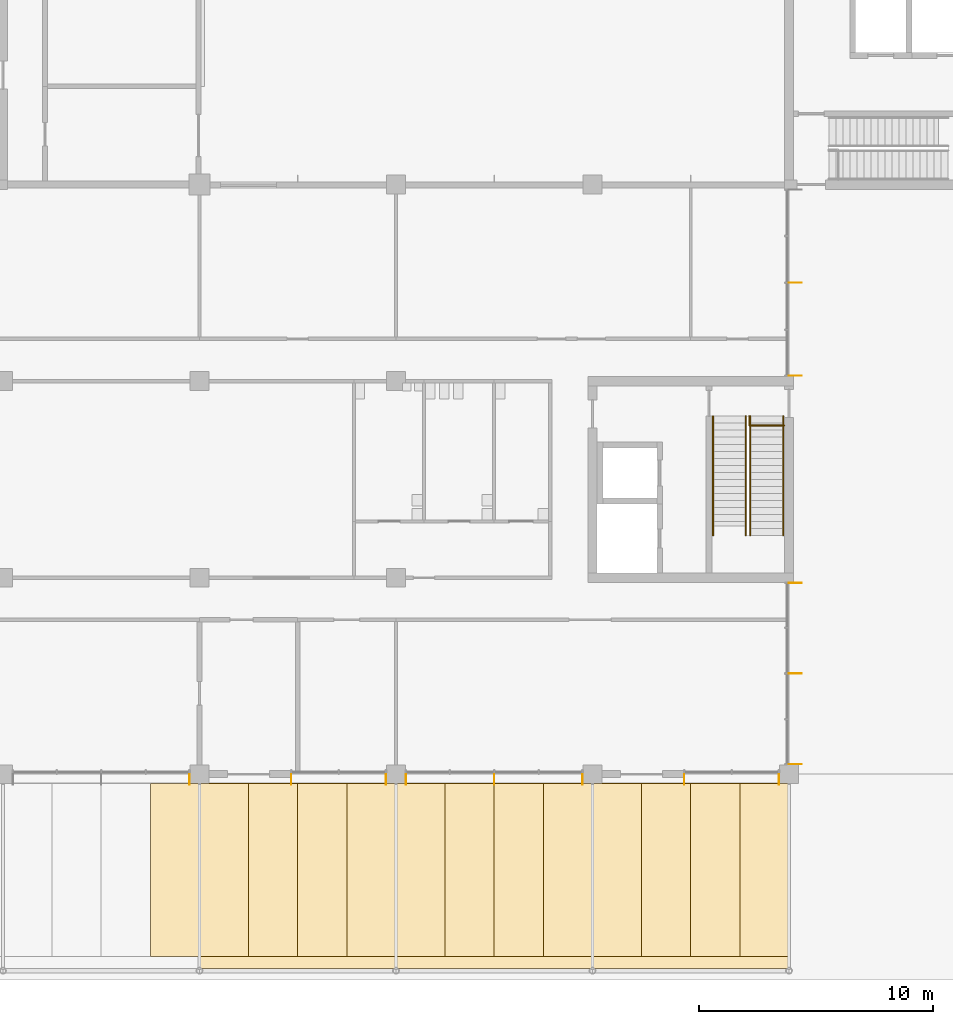
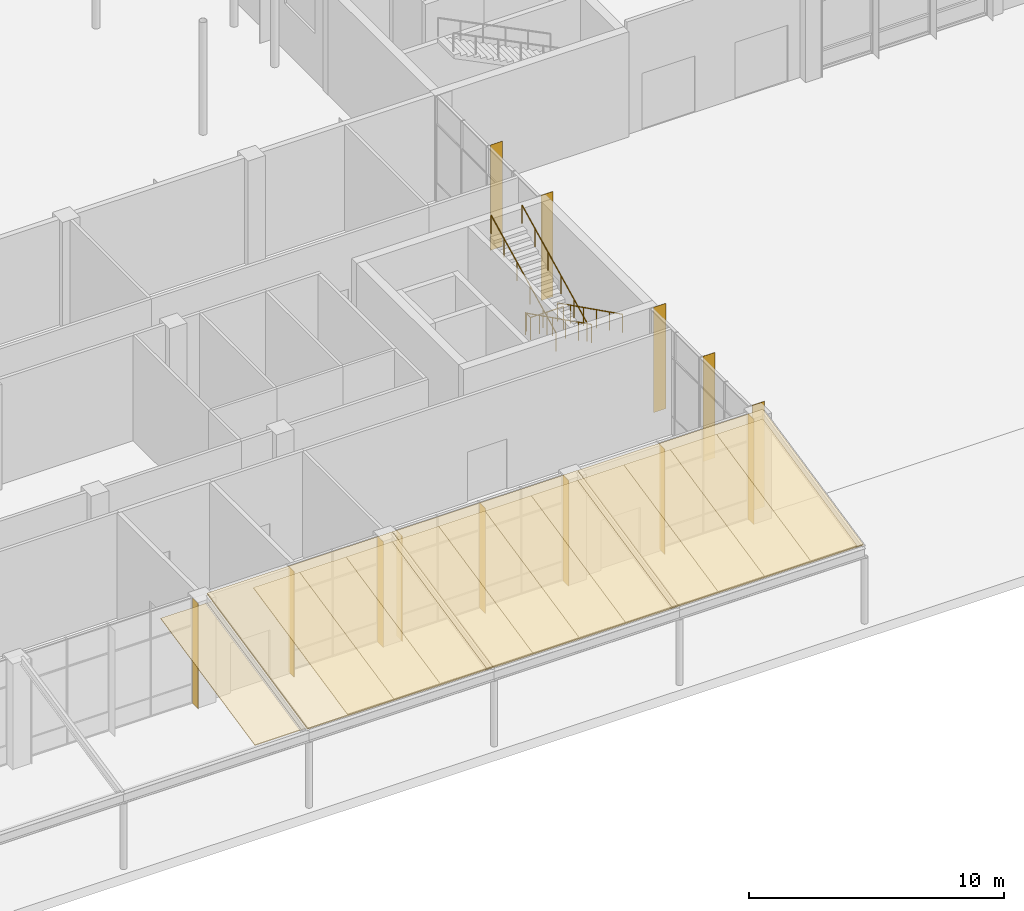
# One storey, part 59 of 76: 16 coverings, 13 shading devices, 5 railings.
"""IFC4 building model written with IfcOpenShell, lengths in metres."""

from ifc_helpers import new_model, si_unit, direction, frame, origin, origin_2d, place, context, subcontext, project, spatial, polyline, rectangle, circle, outline, extrude, material, layer, layer_set, type_object, element, save


model = new_model("IFC4")

# Units and contexts
model_context = context("Model", 3, precision=1e-05, world=origin(), true_north=direction((0.0, 1.0)))
body_context = subcontext(model_context, "Body", "Model", "MODEL_VIEW")
ifc_project = project(units=[si_unit("LENGTHUNIT", "METRE"), si_unit("AREAUNIT", "SQUARE_METRE"), si_unit("VOLUMEUNIT", "CUBIC_METRE"), si_unit("PLANEANGLEUNIT", "RADIAN"), si_unit("MASSUNIT", "GRAM", prefix="KILO")], contexts=[model_context])

# Site, building, storey
site_placement = place(None, origin())
site = spatial("IfcSite", under=ifc_project, at=site_placement, CompositionType="ELEMENT")
building_placement = place(site_placement, origin())
building = spatial("IfcBuilding", under=site, at=building_placement, Name="Hlaing Beacon Police Headquarters", CompositionType="ELEMENT")
storey_placement = place(building_placement, origin())
storey = spatial("IfcBuildingStorey", under=building, at=storey_placement, Name="L00", CompositionType="ELEMENT", Elevation=0.0)

# Shading devices
ifc_material_1 = material(Name="Aluminium 6063-T5 anodised", Category="aluminium")
ifc_layer_1 = layer(ifc_material_1, 0.011962890625)
ifc_layer_set_1 = layer_set([ifc_layer_1], Name="Aluminium 6063-T5 anodised")
shading_device_type_1 = type_object("IfcShadingDeviceType", Name="Aluminium fin 12x450", PredefinedType="JALOUSIE", material=ifc_layer_set_1)
for number, where, z_axis, x_axis, name in (
    (1, (33.175048828125, 8.175048828125, 0.0), (0.0, 0.0, 1.0), (1.0, 0.0, 0.0), "Fin L00 S005.4"),
    (2, (37.52490234375, 8.175048828125, 0.0), (0.0, 0.0, 1.0), (1.0, 0.0, 0.0), "Fin L00 S006.0"),
    (3, (41.574951171875, 8.175048828125, 0.0), (0.0, 0.0, 1.0), (1.0, 0.0, 0.0), "Fin L00 S006.2"),
    (4, (42.425048828125, 8.175048828125, 0.0), (0.0, 0.0, 1.0), (1.0, 0.0, 0.0), "Fin L00 S007.0"),
    (5, (46.199951171875, 8.175048828125, 0.0), (0.0, 0.0, 1.0), (1.0, 0.0, 0.0), "Fin L00 S007.2"),
    (6, (49.97509765625, 8.175048828125, 0.0), (0.0, 0.0, 1.0), (1.0, 0.0, 0.0), "Fin L00 S007.4"),
    (7, (54.324951171875, 8.175048828125, 0.0), (0.0, 0.0, 1.0), (1.0, 0.0, 0.0), "Fin L00 S008.0"),
    (8, (58.375, 8.175048828125, 0.0), (0.0, 0.0, 1.0), (1.0, 0.0, 0.0), "Fin L00 S008.2"),
):
    element("IfcShadingDevice", number, at=place(storey_placement, frame(where, z_axis=z_axis, x_axis=x_axis)), inside=storey, type_object=shading_device_type_1, Name=name, PredefinedType="JALOUSIE", context=body_context, shape_type="SweptSolid", body=[
        extrude(rectangle(XDim=0.011962890625, YDim=0.449951171875, at=origin_2d()), origin(), (0.0, 0.0, 1.0), 5.050048828125),
    ])
ifc_material_2 = material(Name="Aluminium 6063-T5 anodised", Category="aluminium")
ifc_layer_2 = layer(ifc_material_2, 0.011962890625)
ifc_layer_set_2 = layer_set([ifc_layer_2], Name="Aluminium 6063-T5 anodised")
shading_device_type_2 = type_object("IfcShadingDeviceType", Name="Aluminium fin 12x550", PredefinedType="JALOUSIE", material=ifc_layer_set_2)
for number, where, z_axis, x_axis, name in (
    (9, (59.074951171875, 8.824951171875, 0.0), (0.0, 0.0, 1.0), (0.0, 1.0, 0.0), "Fin L00 E001.0"),
    (10, (59.074951171875, 12.699951171875, 0.0), (0.0, 0.0, 1.0), (0.0, 1.0, 0.0), "Fin L00 E001.2"),
    (11, (59.074951171875, 16.574951171875, 0.0), (0.0, 0.0, 1.0), (0.0, 1.0, 0.0), "Fin L00 E001.4"),
    (12, (59.074951171875, 25.425048828125, 0.0), (0.0, 0.0, 1.0), (0.0, 1.0, 0.0), "Fin L00 E002.0"),
    (13, (59.074951171875, 29.39990234375, 0.0), (0.0, 0.0, 1.0), (0.0, 1.0, 0.0), "Fin L00 E002.2"),
):
    element("IfcShadingDevice", number, at=place(storey_placement, frame(where, z_axis=z_axis, x_axis=x_axis)), inside=storey, type_object=shading_device_type_2, Name=name, PredefinedType="JALOUSIE", context=body_context, shape_type="SweptSolid", body=[
        extrude(rectangle(XDim=0.011962890625, YDim=0.550048828125, at=origin_2d()), origin(), (0.0, 0.0, 1.0), 5.050048828125),
    ])

# Coverings
ifc_material_3 = material(Name="Standing seam aluminium roofing", Category="aluminium")
ifc_layer_3 = layer(ifc_material_3, 0.06005859375)
ifc_layer_set_3 = layer_set([ifc_layer_3], Name="Standing seam aluminium roofing")
covering_type_1 = type_object("IfcCoveringType", Name="Colonnade roofing 60", PredefinedType="ROOFING", material=ifc_layer_set_3)
for number, where, z_axis, x_axis, name in (
    (14, (33.60009765625, 0.09521484375, 3.680419921875), (0.0, -0.209524963903, 0.97780329796), (1.0, 0.0, 0.0), "South colonnade of the public front roofing 4"),
    (15, (42.0, 0.09521484375, 3.680419921875), (0.0, -0.209524963903, 0.97780329796), (1.0, 0.0, 0.0), "South colonnade of the public front roofing 5"),
):
    element("IfcCovering", number, at=place(storey_placement, frame(where, z_axis=z_axis, x_axis=x_axis)), inside=storey, type_object=covering_type_1, Name=name, PredefinedType="ROOFING", context=body_context, shape_type="SweptSolid", body=[
        extrude(outline(polyline([(0.0, 0.0), (8.39990234375, 0.0), (8.39990234375, 8.084228364479442), (0.0, 8.084228364479442), (0.0, 0.0)])), origin(), (0.0, 0.0, -1.0), 0.06005859375),
    ])
covering_1_placement = place(storey_placement, frame((50.39990234375, 0.09521484375, 3.680419921875), z_axis=(0.0, -0.209524963903, 0.97780329796), x_axis=(1.0, 0.0, 0.0)))
element("IfcCovering", 16, at=covering_1_placement, inside=storey, type_object=covering_type_1, Name="South colonnade of the public front roofing 6", PredefinedType="ROOFING", context=body_context, shape_type="SweptSolid", body=[
    extrude(outline(polyline([(0.0, 0.0), (8.400146484375, 0.0), (8.400146484375, 8.084228364479442), (0.0, 8.084228364479442), (0.0, 0.0)])), origin(), (0.0, 0.0, -1.0), 0.06005859375),
])
ifc_material_4 = material(Name="Perforated aluminium", Category="aluminium")
ifc_layer_4 = layer(ifc_material_4, 0.0400390625)
ifc_layer_set_4 = layer_set([ifc_layer_4], Name="Perforated aluminium")
covering_type_2 = type_object("IfcCoveringType", Name="Perforated soffit panel 40", PredefinedType="CEILING", material=ifc_layer_set_4)
covering_2_placement = place(storey_placement, frame((31.5, 0.60009765625, 3.3154296875), z_axis=(0.0, -0.209559932183, 0.977795804258), x_axis=(1.0, 0.0, 0.0)))
element("IfcCovering", 17, at=covering_2_placement, inside=storey, type_object=covering_type_2, Name="South colonnade of the public front soffit 3.4", PredefinedType="CEILING", context=body_context, shape_type="SweptSolid", body=[
    extrude(outline(polyline([(0.0, 0.0), (2.10009765625, 0.0), (2.10009765625, 7.567942418580032), (0.0, 7.567942418580032), (0.0, 0.0)])), origin(), (0.0, 0.0, -1.0), 0.0400390625),
])
covering_3_placement = place(storey_placement, frame((33.60009765625, 0.60009765625, 3.3154296875), z_axis=(0.0, -0.209559932183, 0.977795804258), x_axis=(1.0, 0.0, 0.0)))
element("IfcCovering", 18, at=covering_3_placement, inside=storey, type_object=covering_type_2, Name="South colonnade of the public front soffit 4.1", PredefinedType="CEILING", context=body_context, shape_type="SweptSolid", body=[
    extrude(outline(polyline([(0.0, 0.0), (2.099853515625, 0.0), (2.099853515625, 7.567942418580033), (0.0, 7.567942418580033), (0.0, 0.0)])), origin(), (0.0, 0.0, -1.0), 0.0400390625),
])
covering_4_placement = place(storey_placement, frame((35.699951171875, 0.60009765625, 3.3154296875), z_axis=(0.0, -0.209559932183, 0.977795804258), x_axis=(1.0, 0.0, 0.0)))
element("IfcCovering", 19, at=covering_4_placement, inside=storey, type_object=covering_type_2, Name="South colonnade of the public front soffit 4.2", PredefinedType="CEILING", context=body_context, shape_type="SweptSolid", body=[
    extrude(outline(polyline([(0.0, 0.0), (2.10009765625, 0.0), (2.10009765625, 7.567942418580032), (0.0, 7.567942418580032), (0.0, 0.0)])), origin(), (0.0, 0.0, -1.0), 0.0400390625),
])
covering_5_placement = place(storey_placement, frame((37.800048828125, 0.60009765625, 3.3154296875), z_axis=(0.0, -0.209559932183, 0.977795804258), x_axis=(1.0, 0.0, 0.0)))
element("IfcCovering", 20, at=covering_5_placement, inside=storey, type_object=covering_type_2, Name="South colonnade of the public front soffit 4.3", PredefinedType="CEILING", context=body_context, shape_type="SweptSolid", body=[
    extrude(outline(polyline([(0.0, 0.0), (2.099853515625, 0.0), (2.099853515625, 7.567942418580033), (0.0, 7.567942418580033), (0.0, 0.0)])), origin(), (0.0, 0.0, -1.0), 0.0400390625),
])
for number, where, z_axis, x_axis, name in (
    (21, (39.89990234375, 0.60009765625, 3.3154296875), (0.0, -0.209559932183, 0.977795804258), (1.0, 0.0, 0.0), "South colonnade of the public front soffit 4.4"),
    (22, (42.0, 0.60009765625, 3.3154296875), (0.0, -0.209559932183, 0.977795804258), (1.0, 0.0, 0.0), "South colonnade of the public front soffit 5.1"),
):
    element("IfcCovering", number, at=place(storey_placement, frame(where, z_axis=z_axis, x_axis=x_axis)), inside=storey, type_object=covering_type_2, Name=name, PredefinedType="CEILING", context=body_context, shape_type="SweptSolid", body=[
        extrude(outline(polyline([(0.0, 0.0), (2.10009765625, 0.0), (2.10009765625, 7.567942418580032), (0.0, 7.567942418580032), (0.0, 0.0)])), origin(), (0.0, 0.0, -1.0), 0.0400390625),
    ])
covering_6_placement = place(storey_placement, frame((44.10009765625, 0.60009765625, 3.3154296875), z_axis=(0.0, -0.209559932183, 0.977795804258), x_axis=(1.0, 0.0, 0.0)))
element("IfcCovering", 23, at=covering_6_placement, inside=storey, type_object=covering_type_2, Name="South colonnade of the public front soffit 5.2", PredefinedType="CEILING", context=body_context, shape_type="SweptSolid", body=[
    extrude(outline(polyline([(0.0, 0.0), (2.099853515625, 0.0), (2.099853515625, 7.567942418580033), (0.0, 7.567942418580033), (0.0, 0.0)])), origin(), (0.0, 0.0, -1.0), 0.0400390625),
])
covering_7_placement = place(storey_placement, frame((46.199951171875, 0.60009765625, 3.3154296875), z_axis=(0.0, -0.209559932183, 0.977795804258), x_axis=(1.0, 0.0, 0.0)))
element("IfcCovering", 24, at=covering_7_placement, inside=storey, type_object=covering_type_2, Name="South colonnade of the public front soffit 5.3", PredefinedType="CEILING", context=body_context, shape_type="SweptSolid", body=[
    extrude(outline(polyline([(0.0, 0.0), (2.10009765625, 0.0), (2.10009765625, 7.567942418580032), (0.0, 7.567942418580032), (0.0, 0.0)])), origin(), (0.0, 0.0, -1.0), 0.0400390625),
])
covering_8_placement = place(storey_placement, frame((48.300048828125, 0.60009765625, 3.3154296875), z_axis=(0.0, -0.209559932183, 0.977795804258), x_axis=(1.0, 0.0, 0.0)))
element("IfcCovering", 25, at=covering_8_placement, inside=storey, type_object=covering_type_2, Name="South colonnade of the public front soffit 5.4", PredefinedType="CEILING", context=body_context, shape_type="SweptSolid", body=[
    extrude(outline(polyline([(0.0, 0.0), (2.099853515625, 0.0), (2.099853515625, 7.567942418580033), (0.0, 7.567942418580033), (0.0, 0.0)])), origin(), (0.0, 0.0, -1.0), 0.0400390625),
])
for number, where, z_axis, x_axis, name in (
    (26, (50.39990234375, 0.60009765625, 3.3154296875), (0.0, -0.209559932183, 0.977795804258), (1.0, 0.0, 0.0), "South colonnade of the public front soffit 6.1"),
    (27, (52.5, 0.60009765625, 3.3154296875), (0.0, -0.209559932183, 0.977795804258), (1.0, 0.0, 0.0), "South colonnade of the public front soffit 6.2"),
):
    element("IfcCovering", number, at=place(storey_placement, frame(where, z_axis=z_axis, x_axis=x_axis)), inside=storey, type_object=covering_type_2, Name=name, PredefinedType="CEILING", context=body_context, shape_type="SweptSolid", body=[
        extrude(outline(polyline([(0.0, 0.0), (2.10009765625, 0.0), (2.10009765625, 7.567942418580032), (0.0, 7.567942418580032), (0.0, 0.0)])), origin(), (0.0, 0.0, -1.0), 0.0400390625),
    ])
covering_9_placement = place(storey_placement, frame((54.60009765625, 0.60009765625, 3.3154296875), z_axis=(0.0, -0.209559932183, 0.977795804258), x_axis=(1.0, 0.0, 0.0)))
element("IfcCovering", 28, at=covering_9_placement, inside=storey, type_object=covering_type_2, Name="South colonnade of the public front soffit 6.3", PredefinedType="CEILING", context=body_context, shape_type="SweptSolid", body=[
    extrude(outline(polyline([(0.0, 0.0), (2.099853515625, 0.0), (2.099853515625, 7.567942418580033), (0.0, 7.567942418580033), (0.0, 0.0)])), origin(), (0.0, 0.0, -1.0), 0.0400390625),
])
covering_10_placement = place(storey_placement, frame((56.699951171875, 0.60009765625, 3.3154296875), z_axis=(0.0, -0.209559932183, 0.977795804258), x_axis=(1.0, 0.0, 0.0)))
element("IfcCovering", 29, at=covering_10_placement, inside=storey, type_object=covering_type_2, Name="South colonnade of the public front soffit 6.4", PredefinedType="CEILING", context=body_context, shape_type="SweptSolid", body=[
    extrude(outline(polyline([(0.0, 0.0), (2.10009765625, 0.0), (2.10009765625, 7.567942418580032), (0.0, 7.567942418580032), (0.0, 0.0)])), origin(), (0.0, 0.0, -1.0), 0.0400390625),
])

# Railings
ifc_material_5 = material(Name="Stainless steel", Category="steel")
railing_type_1 = type_object("IfcRailingType", Name="Stair guard 1100", PredefinedType="GUARDRAIL", material=ifc_material_5)
railing_placement = place(storey_placement, frame((58.60009765625, 23.300048828125, 0.0)))
element("IfcRailing", 30, at=railing_placement, inside=storey, type_object=railing_type_1, Name="Guard ST-K", PredefinedType="GUARDRAIL", context=body_context, shape_type="SweptSolid", body=[
    extrude(circle(Radius=0.02392578125, at=origin_2d()), frame((0.0, 0.0, 1.076171875), z_axis=(-1.0, 0.0, 0.0), x_axis=(0.0, -1.0, 0.0)), (0.0, 0.0, 1.0), 1.5),
    extrude(circle(Radius=0.02392578125, at=origin_2d()), frame((-1.5, 0.0, 1.076171875), z_axis=(0.0, 1.0, 0.0), x_axis=(-1.0, 0.0, 0.0)), (0.0, 0.0, 1.0), 0.39990234375),
    extrude(circle(Radius=0.02099609375, at=origin_2d()), origin(), (0.0, 0.0, 1.0), 1.052001953125),
    extrude(circle(Radius=0.02099609375, at=origin_2d()), frame((-0.75, 0.0, 0.0)), (0.0, 0.0, 1.0), 1.052001953125),
    extrude(circle(Radius=0.02099609375, at=origin_2d()), frame((-1.5, 0.0, 0.0)), (0.0, 0.0, 1.0), 1.052001953125),
    extrude(circle(Radius=0.02099609375, at=origin_2d()), frame((-1.5, 0.39990234375, 0.0)), (0.0, 0.0, 1.0), 1.052001953125),
])
ifc_material_6 = material(Name="Stainless steel", Category="steel")
railing_type_2 = type_object("IfcRailingType", Name="Stair handrail 900", PredefinedType="HANDRAIL", material=ifc_material_6)
for number, where, name in (
    (31, (58.550048828125, 23.699951171875, 0.14990234375), "Handrail ST-K"),
    (32, (57.14990234375, 23.699951171875, 0.14990234375), "Handrail ST-K"),
):
    element("IfcRailing", number, at=place(storey_placement, frame(where)), inside=storey, type_object=railing_type_2, Name=name, PredefinedType="HANDRAIL", context=body_context, shape_type="SweptSolid", body=[
        extrude(circle(Radius=0.02392578125, at=origin_2d()), frame((0.0, 0.0, 0.8759765625), z_axis=(0.0, -0.894418627299, 0.447230722492), x_axis=(1.0, 0.0, 0.0)), (0.0, 0.0, 1.0), 5.701904296875),
        extrude(circle(Radius=0.02099609375, at=origin_2d()), origin(), (0.0, 0.0, 1.0), 0.851806640625),
        extrude(circle(Radius=0.02099609375, at=origin_2d()), frame((0.0, -1.02001953125, 0.510009765625)), (0.0, 0.0, 1.0), 0.851806640625),
        extrude(circle(Radius=0.02099609375, at=origin_2d()), frame((0.0, -2.0400390625, 1.02001953125)), (0.0, 0.0, 1.0), 0.851806640625),
        extrude(circle(Radius=0.02099609375, at=origin_2d()), frame((0.0, -3.059814453125, 1.530029296875)), (0.0, 0.0, 1.0), 0.851806640625),
        extrude(circle(Radius=0.02099609375, at=origin_2d()), frame((0.0, -4.079833984375, 2.0400390625)), (0.0, 0.0, 1.0), 0.851806640625),
        extrude(circle(Radius=0.02099609375, at=origin_2d()), frame((0.0, -5.099853515625, 2.550048828125)), (0.0, 0.0, 1.0), 0.851806640625),
    ])
for number, where, name in (
    (33, (56.949951171875, 18.60009765625, 2.85009765625), "Handrail ST-K"),
    (34, (55.550048828125, 18.60009765625, 2.85009765625), "Handrail ST-K"),
):
    element("IfcRailing", number, at=place(storey_placement, frame(where)), inside=storey, type_object=railing_type_2, Name=name, PredefinedType="HANDRAIL", context=body_context, shape_type="SweptSolid", body=[
        extrude(circle(Radius=0.02392578125, at=origin_2d()), frame((0.0, 0.0, 0.8759765625), z_axis=(0.0, 0.894435754537, 0.447196468016), x_axis=(-1.0, 0.0, 0.0)), (0.0, 0.0, 1.0), 5.70166015625),
        extrude(circle(Radius=0.02099609375, at=origin_2d()), origin(), (0.0, 0.0, 1.0), 0.851806640625),
        extrude(circle(Radius=0.02099609375, at=origin_2d()), frame((0.0, 1.02001953125, 0.510009765625)), (0.0, 0.0, 1.0), 0.851806640625),
        extrude(circle(Radius=0.02099609375, at=origin_2d()), frame((0.0, 2.0400390625, 1.02001953125)), (0.0, 0.0, 1.0), 0.851806640625),
        extrude(circle(Radius=0.02099609375, at=origin_2d()), frame((0.0, 3.059814453125, 1.52978515625)), (0.0, 0.0, 1.0), 0.851806640625),
        extrude(circle(Radius=0.02099609375, at=origin_2d()), frame((0.0, 4.079833984375, 2.039794921875)), (0.0, 0.0, 1.0), 0.851806640625),
        extrude(circle(Radius=0.02099609375, at=origin_2d()), frame((0.0, 5.099853515625, 2.5498046875)), (0.0, 0.0, 1.0), 0.851806640625),
    ])

save(model, "model.ifc")
